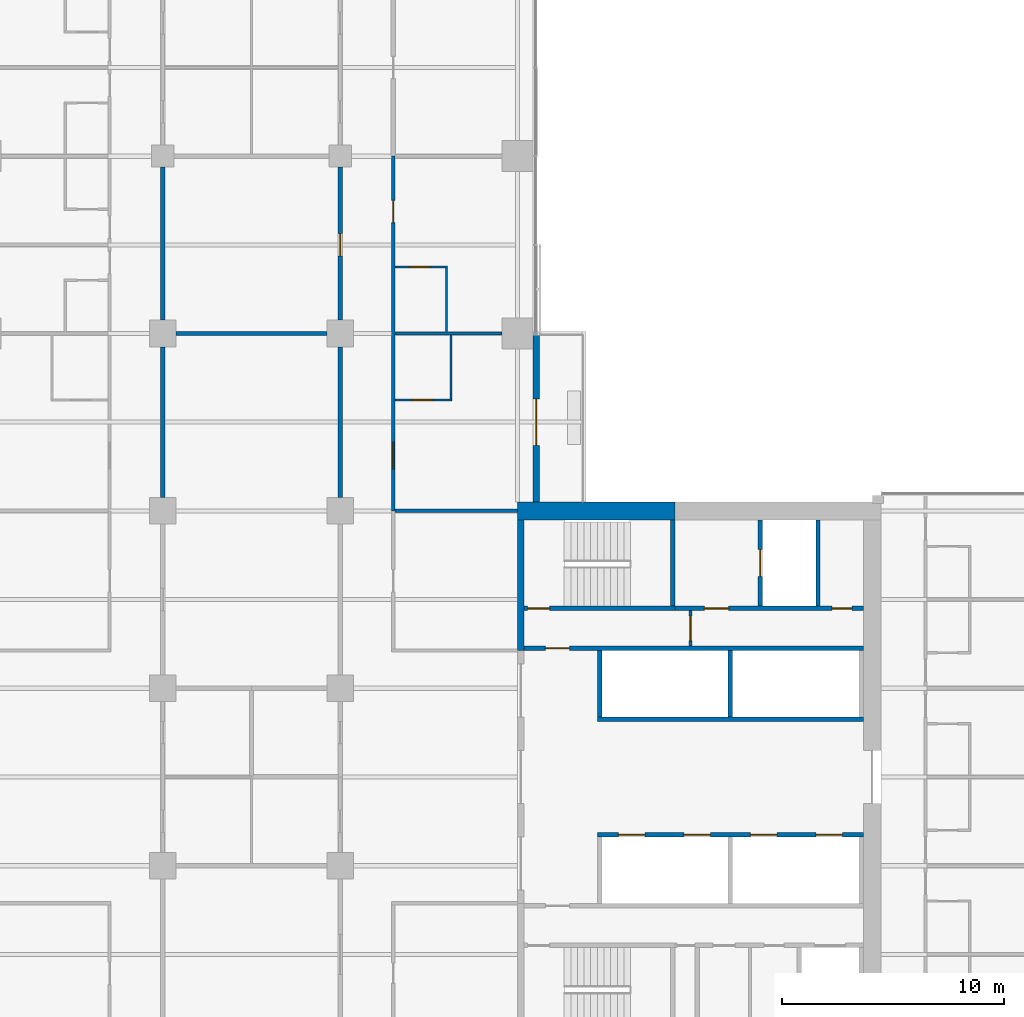
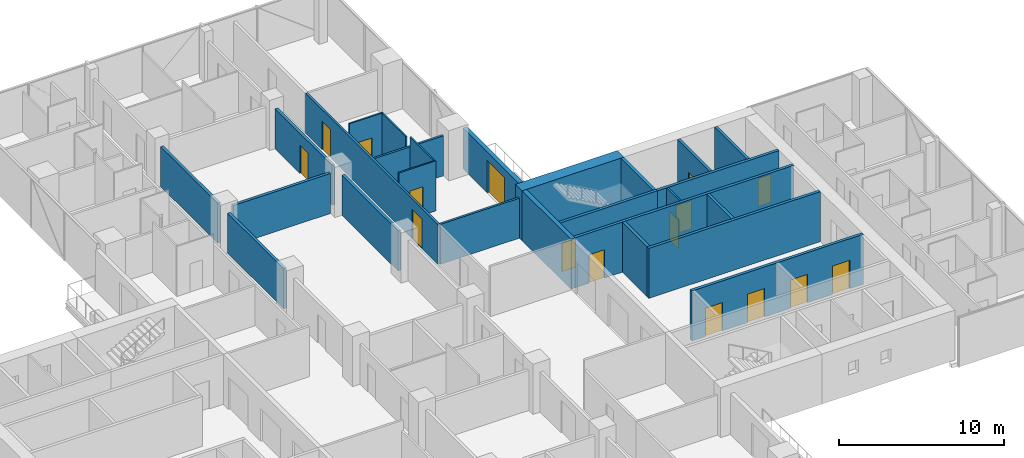
# One storey, part 20 of 27: 26 walls, 16 doors, 16 openings.
"""IFC4 building model written with IfcOpenShell, lengths in metres."""

from ifc_helpers import new_model, si_unit, direction, frame, frame_2d, origin, place, context, subcontext, project, spatial, rectangle, extrude, material, layer, layer_set, constituent, constituent_set, type_object, element, fill, save


model = new_model("IFC4")

# Units and contexts
model_context = context("Model", 3, precision=1e-05, world=origin(), true_north=direction((0.0, 1.0)))
body_context = subcontext(model_context, "Body", "Model", "MODEL_VIEW")
ifc_project = project(units=[si_unit("LENGTHUNIT", "METRE"), si_unit("AREAUNIT", "SQUARE_METRE"), si_unit("VOLUMEUNIT", "CUBIC_METRE"), si_unit("PLANEANGLEUNIT", "RADIAN"), si_unit("MASSUNIT", "GRAM", prefix="KILO")], contexts=[model_context])

# Site, building, storey
site_placement = place(None, origin())
site = spatial("IfcSite", under=ifc_project, at=site_placement, CompositionType="ELEMENT")
building_placement = place(site_placement, origin())
building = spatial("IfcBuilding", under=site, at=building_placement, Name="Crosswind Convention Tower", CompositionType="ELEMENT")
storey_placement = place(building_placement, frame((0.0, 0.0, 86.800048828125)))
storey = spatial("IfcBuildingStorey", under=building, at=storey_placement, Name="L16", CompositionType="ELEMENT", Elevation=86.800048828125)

# Walls
ifc_material_1 = material(Name="Concrete C50/60", Category="concrete")
ifc_layer_1 = layer(ifc_material_1, 0.300048828125)
ifc_layer_set_1 = layer_set([ifc_layer_1], Name="Concrete C50/60")
wall_type_1 = type_object("IfcWallType", Name="Concrete inner core wall 300", PredefinedType="SHEAR", material=ifc_layer_set_1)
wall_1_placement = place(storey_placement, frame((137.14990234375, 105.699951171875, 0.0), z_axis=(0.0, 0.0, 1.0), x_axis=(0.0, 1.0, 0.0)))
element("IfcWall", 1, at=wall_1_placement, inside=storey, type_object=wall_type_1, Name="Wall EP E L16", PredefinedType="SHEAR", context=body_context, shape_type="SweptSolid", body=[
    extrude(rectangle(XDim=5.900146484375, YDim=0.300048828125, at=frame_2d((2.9501953125, 0.0))), origin(), (0.0, 0.0, 1.0), 3.699951171875),
])
ifc_layer_2 = layer(ifc_material_1, 0.199951171875)
ifc_layer_set_2 = layer_set([ifc_layer_2], Name="Concrete C50/60")
wall_type_2 = type_object("IfcWallType", Name="Concrete shaft and stair wall 200", PredefinedType="SHEAR", material=ifc_layer_set_2)
for number, where, z_axis, x_axis, name in (
    (2, (140.699951171875, 102.699951171875, 0.0), (0.0, 0.0, 1.0), (0.0, 1.0, 0.0), "Wall RPEND E L16"),
    (3, (146.60009765625, 102.699951171875, 0.0), (0.0, 0.0, 1.0), (0.0, 1.0, 0.0), "Wall RPSEP E L16"),
):
    element("IfcWall", number, at=place(storey_placement, frame(where, z_axis=z_axis, x_axis=x_axis)), inside=storey, type_object=wall_type_2, Name=name, PredefinedType="SHEAR", context=body_context, shape_type="SweptSolid", body=[
        extrude(rectangle(XDim=3.0, YDim=0.199951171875, at=frame_2d((1.5, 0.0))), origin(), (0.0, 0.0, 1.0), 3.699951171875),
    ])
wall_2_placement = place(storey_placement, frame((140.60009765625, 102.60009765625, 0.0), z_axis=(0.0, 0.0, 1.0), x_axis=(1.0, 0.0, 0.0)))
element("IfcWall", 4, at=wall_2_placement, inside=storey, type_object=wall_type_2, Name="Wall RPFRONT E L16", PredefinedType="SHEAR", context=body_context, shape_type="SweptSolid", body=[
    extrude(rectangle(XDim=12.0, YDim=0.199951171875, at=frame_2d((6.0, 0.0))), origin(), (0.0, 0.0, 1.0), 3.699951171875),
])

# Wall, openings, doors
wall_3_placement = place(storey_placement, frame((140.60009765625, 97.39990234375, 0.0), z_axis=(0.0, 0.0, 1.0), x_axis=(1.0, 0.0, 0.0)))
wall_3 = element("IfcWall", 5, at=wall_3_placement, inside=storey, type_object=wall_type_2, Name="Wall RMFRONT E L16", PredefinedType="SHEAR", context=body_context, shape_type="SweptSolid", body=[
    extrude(rectangle(XDim=12.0, YDim=0.199951171875, at=frame_2d((6.0, 0.0))), origin(), (0.0, 0.0, 1.0), 3.699951171875),
])
opening_1_placement = place(wall_3_placement, frame((0.949951171875, 0.0, 0.0)))
opening_1 = element("IfcOpeningElement", 6, at=opening_1_placement, cuts=wall_3, Name="Opening LD1", PredefinedType="OPENING", context=body_context, shape_type="SweptSolid", body=[
    extrude(rectangle(XDim=1.199951171875, YDim=2.10009765625, at=frame_2d((0.60009765625, 1.050048828125))), frame((0.0, 0.10986328125, 0.0), z_axis=(0.0, -1.0, 0.0), x_axis=(1.0, 0.0, 0.0)), (0.0, 0.0, 1.0), 0.219970703125),
])
opening_2_placement = place(wall_3_placement, frame((3.89990234375, 0.0, 0.0)))
opening_2 = element("IfcOpeningElement", 7, at=opening_2_placement, cuts=wall_3, Name="Opening LD1", PredefinedType="OPENING", context=body_context, shape_type="SweptSolid", body=[
    extrude(rectangle(XDim=1.199951171875, YDim=2.10009765625, at=frame_2d((0.60009765625, 1.050048828125))), frame((0.0, 0.10986328125, 0.0), z_axis=(0.0, -1.0, 0.0), x_axis=(1.0, 0.0, 0.0)), (0.0, 0.0, 1.0), 0.219970703125),
])
opening_3_placement = place(wall_3_placement, frame((6.89990234375, 0.0, 0.0)))
opening_3 = element("IfcOpeningElement", 8, at=opening_3_placement, cuts=wall_3, Name="Opening LD1", PredefinedType="OPENING", context=body_context, shape_type="SweptSolid", body=[
    extrude(rectangle(XDim=1.199951171875, YDim=2.10009765625, at=frame_2d((0.60009765625, 1.050048828125))), frame((0.0, 0.10986328125, 0.0), z_axis=(0.0, -1.0, 0.0), x_axis=(1.0, 0.0, 0.0)), (0.0, 0.0, 1.0), 0.219970703125),
])
opening_4_placement = place(wall_3_placement, frame((9.85009765625, 0.0, 0.0)))
opening_4 = element("IfcOpeningElement", 9, at=opening_4_placement, cuts=wall_3, Name="Opening LD1", PredefinedType="OPENING", context=body_context, shape_type="SweptSolid", body=[
    extrude(rectangle(XDim=1.199951171875, YDim=2.10009765625, at=frame_2d((0.60009765625, 1.050048828125))), frame((0.0, 0.10986328125, 0.0), z_axis=(0.0, -1.0, 0.0), x_axis=(1.0, 0.0, 0.0)), (0.0, 0.0, 1.0), 0.219970703125),
])
ifc_material_2 = material(Name="Stainless steel", Category="steel")
door_type_1 = type_object("IfcDoorType", Name="Lift landing door 1200x2100", OperationType="DOUBLE_DOOR_SLIDING", PredefinedType="DOOR", material=ifc_material_2)
door_1_placement = place(opening_1_placement, origin())
door_1 = element("IfcDoor", 10, at=door_1_placement, inside=storey, type_object=door_type_1, Name="Landing door H1 L16", ObjectType="LD1", OperationType="DOUBLE_DOOR_SLIDING", OverallHeight=2.10009765625, OverallWidth=1.199951171875, PredefinedType="DOOR", context=body_context, shape_type="SweptSolid", body=[
    extrude(rectangle(XDim=1.199951171875, YDim=2.10009765625, at=frame_2d((0.60009765625, 1.050048828125))), frame((0.0, 0.02490234375, 0.0), z_axis=(0.0, -1.0, 0.0), x_axis=(1.0, 0.0, 0.0)), (0.0, 0.0, 1.0), 0.050048828125),
])
fill(opening_1, door_1)
door_2_placement = place(opening_2_placement, origin())
door_2 = element("IfcDoor", 11, at=door_2_placement, inside=storey, type_object=door_type_1, Name="Landing door H2 L16", ObjectType="LD1", OperationType="DOUBLE_DOOR_SLIDING", OverallHeight=2.10009765625, OverallWidth=1.199951171875, PredefinedType="DOOR", context=body_context, shape_type="SweptSolid", body=[
    extrude(rectangle(XDim=1.199951171875, YDim=2.10009765625, at=frame_2d((0.60009765625, 1.050048828125))), frame((0.0, 0.02490234375, 0.0), z_axis=(0.0, -1.0, 0.0), x_axis=(1.0, 0.0, 0.0)), (0.0, 0.0, 1.0), 0.050048828125),
])
fill(opening_2, door_2)
door_3_placement = place(opening_3_placement, origin())
door_3 = element("IfcDoor", 12, at=door_3_placement, inside=storey, type_object=door_type_1, Name="Landing door H3 L16", ObjectType="LD1", OperationType="DOUBLE_DOOR_SLIDING", OverallHeight=2.10009765625, OverallWidth=1.199951171875, PredefinedType="DOOR", context=body_context, shape_type="SweptSolid", body=[
    extrude(rectangle(XDim=1.199951171875, YDim=2.10009765625, at=frame_2d((0.60009765625, 1.050048828125))), frame((0.0, 0.02490234375, 0.0), z_axis=(0.0, -1.0, 0.0), x_axis=(1.0, 0.0, 0.0)), (0.0, 0.0, 1.0), 0.050048828125),
])
fill(opening_3, door_3)
door_4_placement = place(opening_4_placement, origin())
door_4 = element("IfcDoor", 13, at=door_4_placement, inside=storey, type_object=door_type_1, Name="Landing door H4 L16", ObjectType="LD1", OperationType="DOUBLE_DOOR_SLIDING", OverallHeight=2.10009765625, OverallWidth=1.199951171875, PredefinedType="DOOR", context=body_context, shape_type="SweptSolid", body=[
    extrude(rectangle(XDim=1.199951171875, YDim=2.10009765625, at=frame_2d((0.60009765625, 1.050048828125))), frame((0.0, 0.02490234375, 0.0), z_axis=(0.0, -1.0, 0.0), x_axis=(1.0, 0.0, 0.0)), (0.0, 0.0, 1.0), 0.050048828125),
])
fill(opening_4, door_4)

# Wall, opening, door
wall_4_placement = place(storey_placement, frame((137.300048828125, 105.800048828125, 0.0), z_axis=(0.0, 0.0, 1.0), x_axis=(1.0, 0.0, 0.0)))
wall_4 = element("IfcWall", 14, at=wall_4_placement, inside=storey, type_object=wall_type_2, Name="Wall HP E L16", PredefinedType="SHEAR", context=body_context, shape_type="SweptSolid", body=[
    extrude(rectangle(XDim=15.300048828125, YDim=0.199951171875, at=frame_2d((7.64990234375, 0.0))), origin(), (0.0, 0.0, 1.0), 3.699951171875),
])
opening_5_placement = place(wall_4_placement, frame((0.949951171875, 0.0, 0.0)))
opening_5 = element("IfcOpeningElement", 15, at=opening_5_placement, cuts=wall_4, Name="Opening D104", PredefinedType="OPENING", context=body_context, shape_type="SweptSolid", body=[
    extrude(rectangle(XDim=1.10009765625, YDim=2.10009765625, at=frame_2d((0.550048828125, 1.050048828125))), frame((0.0, 0.10986328125, 0.0), z_axis=(0.0, -1.0, 0.0), x_axis=(1.0, 0.0, 0.0)), (0.0, 0.0, 1.0), 0.219970703125),
])
ifc_material_3 = material(Name="Steel fire door", Category="steel")
door_type_2 = type_object("IfcDoorType", Name="Fire-rated single door 1100x2100", OperationType="NOTDEFINED", PredefinedType="DOOR", material=ifc_material_3)
door_5_placement = place(opening_5_placement, origin())
door_5 = element("IfcDoor", 16, at=door_5_placement, inside=storey, type_object=door_type_2, Name="Corridor door L16", ObjectType="D104", OperationType="SINGLE_SWING_LEFT", OverallHeight=2.10009765625, OverallWidth=1.10009765625, PredefinedType="DOOR", context=body_context, shape_type="SweptSolid", body=[
    extrude(rectangle(XDim=1.10009765625, YDim=2.10009765625, at=frame_2d((0.550048828125, 1.050048828125))), frame((0.0, 0.02490234375, 0.0), z_axis=(0.0, -1.0, 0.0), x_axis=(1.0, 0.0, 0.0)), (0.0, 0.0, 1.0), 0.050048828125),
])
fill(opening_5, door_5)

# Wall
wall_5_placement = place(storey_placement, frame((144.0, 107.699951171875, 0.0), z_axis=(0.0, 0.0, 1.0), x_axis=(0.0, 1.0, 0.0)))
element("IfcWall", 17, at=wall_5_placement, inside=storey, type_object=wall_type_2, Name="Wall PSE E L16", PredefinedType="SHEAR", context=body_context, shape_type="SweptSolid", body=[
    extrude(rectangle(XDim=3.900146484375, YDim=0.199951171875, at=frame_2d((1.9501953125, 0.0))), origin(), (0.0, 0.0, 1.0), 3.699951171875),
])

# Wall, opening, door
wall_6_placement = place(storey_placement, frame((147.949951171875, 107.699951171875, 0.0), z_axis=(0.0, 0.0, 1.0), x_axis=(0.0, 1.0, 0.0)))
wall_6 = element("IfcWall", 18, at=wall_6_placement, inside=storey, type_object=wall_type_2, Name="Wall PFLW E L16", PredefinedType="SHEAR", context=body_context, shape_type="SweptSolid", body=[
    extrude(rectangle(XDim=3.900146484375, YDim=0.199951171875, at=frame_2d((1.9501953125, 0.0))), origin(), (0.0, 0.0, 1.0), 3.699951171875),
])
opening_6_placement = place(wall_6_placement, frame((1.35009765625, 0.0, 0.0)))
opening_6 = element("IfcOpeningElement", 19, at=opening_6_placement, cuts=wall_6, Name="Opening LD1", PredefinedType="OPENING", context=body_context, shape_type="SweptSolid", body=[
    extrude(rectangle(XDim=1.199951171875, YDim=2.10009765625, at=frame_2d((0.60009765625, 1.050048828125))), frame((0.0, 0.10986328125, 0.0), z_axis=(0.0, -1.0, 0.0), x_axis=(1.0, 0.0, 0.0)), (0.0, 0.0, 1.0), 0.219970703125),
])
door_6_placement = place(opening_6_placement, origin())
door_6 = element("IfcDoor", 20, at=door_6_placement, inside=storey, type_object=door_type_1, Name="Landing door FF1 L16", ObjectType="LD1", OperationType="DOUBLE_DOOR_SLIDING", OverallHeight=2.10009765625, OverallWidth=1.199951171875, PredefinedType="DOOR", context=body_context, shape_type="SweptSolid", body=[
    extrude(rectangle(XDim=1.199951171875, YDim=2.10009765625, at=frame_2d((0.60009765625, 1.050048828125))), frame((0.0, 0.02490234375, 0.0), z_axis=(0.0, -1.0, 0.0), x_axis=(1.0, 0.0, 0.0)), (0.0, 0.0, 1.0), 0.050048828125),
])
fill(opening_6, door_6)

# Wall
wall_7_placement = place(storey_placement, frame((150.550048828125, 107.699951171875, 0.0), z_axis=(0.0, 0.0, 1.0), x_axis=(0.0, 1.0, 0.0)))
element("IfcWall", 21, at=wall_7_placement, inside=storey, type_object=wall_type_2, Name="Wall PFSE E L16", PredefinedType="SHEAR", context=body_context, shape_type="SweptSolid", body=[
    extrude(rectangle(XDim=3.900146484375, YDim=0.199951171875, at=frame_2d((1.9501953125, 0.0))), origin(), (0.0, 0.0, 1.0), 3.699951171875),
])

# Wall, opening, door
wall_8_placement = place(storey_placement, frame((137.300048828125, 107.60009765625, 0.0), z_axis=(0.0, 0.0, 1.0), x_axis=(1.0, 0.0, 0.0)))
wall_8 = element("IfcWall", 22, at=wall_8_placement, inside=storey, type_object=wall_type_2, Name="Wall PCW E L16", PredefinedType="SHEAR", context=body_context, shape_type="SweptSolid", body=[
    extrude(rectangle(XDim=6.800048828125, YDim=0.199951171875, at=frame_2d((3.39990234375, 0.0))), origin(), (0.0, 0.0, 1.0), 3.699951171875),
])
opening_7_placement = place(wall_8_placement, frame((0.14990234375, 0.0, 0.0)))
opening_7 = element("IfcOpeningElement", 23, at=opening_7_placement, cuts=wall_8, Name="Opening D103", PredefinedType="OPENING", context=body_context, shape_type="SweptSolid", body=[
    extrude(rectangle(XDim=1.0, YDim=2.10009765625, at=frame_2d((0.5, 1.050048828125))), frame((0.0, 0.10986328125, 0.0), z_axis=(0.0, -1.0, 0.0), x_axis=(1.0, 0.0, 0.0)), (0.0, 0.0, 1.0), 0.219970703125),
])
door_type_3 = type_object("IfcDoorType", Name="Fire-rated single door 1000x2100", OperationType="NOTDEFINED", PredefinedType="DOOR", material=ifc_material_3)
door_7_placement = place(opening_7_placement, origin())
door_7 = element("IfcDoor", 24, at=door_7_placement, inside=storey, type_object=door_type_3, Name="Stair ST1 door L16", ObjectType="D103", OperationType="SINGLE_SWING_LEFT", OverallHeight=2.10009765625, OverallWidth=1.0, PredefinedType="DOOR", context=body_context, shape_type="SweptSolid", body=[
    extrude(rectangle(XDim=1.0, YDim=2.10009765625, at=frame_2d((0.5, 1.050048828125))), frame((0.0, 0.02490234375, 0.0), z_axis=(0.0, -1.0, 0.0), x_axis=(1.0, 0.0, 0.0)), (0.0, 0.0, 1.0), 0.050048828125),
])
fill(opening_7, door_7)

# Wall, openings, doors
wall_9_placement = place(storey_placement, frame((144.10009765625, 107.60009765625, 0.0), z_axis=(0.0, 0.0, 1.0), x_axis=(1.0, 0.0, 0.0)))
wall_9 = element("IfcWall", 25, at=wall_9_placement, inside=storey, type_object=wall_type_2, Name="Wall PCX E L16", PredefinedType="SHEAR", context=body_context, shape_type="SweptSolid", body=[
    extrude(rectangle(XDim=8.5, YDim=0.199951171875, at=frame_2d((4.25, 0.0))), origin(), (0.0, 0.0, 1.0), 3.699951171875),
])
opening_8_placement = place(wall_9_placement, frame((1.324951171875, 0.0, 0.0)))
opening_8 = element("IfcOpeningElement", 26, at=opening_8_placement, cuts=wall_9, Name="Opening D104", PredefinedType="OPENING", context=body_context, shape_type="SweptSolid", body=[
    extrude(rectangle(XDim=1.10009765625, YDim=2.10009765625, at=frame_2d((0.550048828125, 1.050048828125))), frame((0.0, 0.10986328125, 0.0), z_axis=(0.0, -1.0, 0.0), x_axis=(1.0, 0.0, 0.0)), (0.0, 0.0, 1.0), 0.219970703125),
])
opening_9_placement = place(wall_9_placement, frame((7.074951171875, 0.0, 0.0)))
opening_9 = element("IfcOpeningElement", 27, at=opening_9_placement, cuts=wall_9, Name="Opening D106", PredefinedType="OPENING", context=body_context, shape_type="SweptSolid", body=[
    extrude(rectangle(XDim=0.89990234375, YDim=2.10009765625, at=frame_2d((0.449951171875, 1.050048828125))), frame((0.0, 0.10986328125, 0.0), z_axis=(0.0, -1.0, 0.0), x_axis=(1.0, 0.0, 0.0)), (0.0, 0.0, 1.0), 0.219970703125),
])
door_8_placement = place(opening_8_placement, origin())
door_8 = element("IfcDoor", 28, at=door_8_placement, inside=storey, type_object=door_type_2, Name="Fire-fighting lobby FF1 door L16", ObjectType="D104", OperationType="SINGLE_SWING_RIGHT", OverallHeight=2.10009765625, OverallWidth=1.10009765625, PredefinedType="DOOR", context=body_context, shape_type="SweptSolid", body=[
    extrude(rectangle(XDim=1.10009765625, YDim=2.10009765625, at=frame_2d((0.550048828125, 1.050048828125))), frame((0.0, 0.02490234375, 0.0), z_axis=(0.0, -1.0, 0.0), x_axis=(1.0, 0.0, 0.0)), (0.0, 0.0, 1.0), 0.050048828125),
])
fill(opening_8, door_8)
ifc_material_4 = material(Name="Timber door", Category="wood")
door_type_4 = type_object("IfcDoorType", Name="Single leaf door 900x2100", OperationType="NOTDEFINED", PredefinedType="DOOR", material=ifc_material_4)
door_9_placement = place(opening_9_placement, origin())
door_9 = element("IfcDoor", 29, at=door_9_placement, inside=storey, type_object=door_type_4, Name="Door to electrical room L16", ObjectType="D106", OperationType="SINGLE_SWING_RIGHT", OverallHeight=2.10009765625, OverallWidth=0.89990234375, PredefinedType="DOOR", context=body_context, shape_type="SweptSolid", body=[
    extrude(rectangle(XDim=0.89990234375, YDim=2.10009765625, at=frame_2d((0.449951171875, 1.050048828125))), frame((0.0, 0.02490234375, 0.0), z_axis=(0.0, -1.0, 0.0), x_axis=(1.0, 0.0, 0.0)), (0.0, 0.0, 1.0), 0.050048828125),
])
fill(opening_9, door_9)

# Wall, opening, door
ifc_material_5 = material(Name="Gypsum plasterboard partition", Category="gypsum")
ifc_layer_3 = layer(ifc_material_5, 0.125)
ifc_layer_set_3 = layer_set([ifc_layer_3], Name="Drywall partition wall 125")
wall_type_3 = type_object("IfcWallType", Name="Drywall partition wall 125", PredefinedType="PARTITIONING", material=ifc_layer_set_3)
wall_10_placement = place(storey_placement, frame((144.800048828125, 105.89990234375, 0.0), z_axis=(0.0, 0.0, 1.0), x_axis=(0.0, 1.0, 0.0)))
wall_10 = element("IfcWall", 30, at=wall_10_placement, inside=storey, type_object=wall_type_3, Name="Wall PXC1 E L16", PredefinedType="PARTITIONING", context=body_context, shape_type="SweptSolid", body=[
    extrude(rectangle(XDim=1.60009765625, YDim=0.125, at=frame_2d((0.800048828125, 0.0))), origin(), (0.0, 0.0, 1.0), 3.699951171875),
])
opening_10_placement = place(wall_10_placement, frame((0.25, 0.0, 0.0)))
opening_10 = element("IfcOpeningElement", 31, at=opening_10_placement, cuts=wall_10, Name="Opening D104", PredefinedType="OPENING", context=body_context, shape_type="SweptSolid", body=[
    extrude(rectangle(XDim=1.10009765625, YDim=2.10009765625, at=frame_2d((0.550048828125, 1.050048828125))), frame((0.0, 0.072509765625, 0.0), z_axis=(0.0, -1.0, 0.0), x_axis=(1.0, 0.0, 0.0)), (0.0, 0.0, 1.0), 0.14501953125),
])
door_10_placement = place(opening_10_placement, origin())
door_10 = element("IfcDoor", 32, at=door_10_placement, inside=storey, type_object=door_type_2, Name="Corridor smoke door L16", ObjectType="D104", OperationType="SINGLE_SWING_RIGHT", OverallHeight=2.10009765625, OverallWidth=1.10009765625, PredefinedType="DOOR", context=body_context, shape_type="SweptSolid", body=[
    extrude(rectangle(XDim=1.10009765625, YDim=2.10009765625, at=frame_2d((0.550048828125, 1.050048828125))), frame((0.0, 0.02490234375, 0.0), z_axis=(0.0, -1.0, 0.0), x_axis=(1.0, 0.0, 0.0)), (0.0, 0.0, 1.0), 0.050048828125),
])
fill(opening_10, door_10)

# Walls
ifc_material_6 = material(Name="Acoustic plasterboard partition", Category="gypsum")
ifc_layer_4 = layer(ifc_material_6, 0.14990234375)
ifc_layer_set_4 = layer_set([ifc_layer_4], Name="GUEST ROOM WALL 150")
wall_type_4 = type_object("IfcWallType", Name="GUEST ROOM WALL 150", PredefinedType="PARTITIONING", material=ifc_layer_set_4)
wall_11_placement = place(storey_placement, frame((131.47509765625, 112.0, 0.0), z_axis=(0.0, 0.0, 1.0), x_axis=(1.0, 0.0, 0.0)))
element("IfcWall", 33, at=wall_11_placement, inside=storey, type_object=wall_type_4, Name="Guest Room Wall 49", PredefinedType="PARTITIONING", context=body_context, shape_type="SweptSolid", body=[
    extrude(rectangle(XDim=5.52490234375, YDim=0.14990234375, at=frame_2d((2.762451171875, 0.0))), origin(), (0.0, 0.0, 1.0), 2.956298828125),
])
wall_12_placement = place(storey_placement, frame((131.47509765625, 120.0, 0.0), z_axis=(0.0, 0.0, 1.0), x_axis=(1.0, 0.0, 0.0)))
element("IfcWall", 34, at=wall_12_placement, inside=storey, type_object=wall_type_4, Name="Guest Room Wall 54", PredefinedType="PARTITIONING", context=body_context, shape_type="SweptSolid", body=[
    extrude(rectangle(XDim=4.824951171875, YDim=0.14990234375, at=frame_2d((2.41259765625, 0.0))), origin(), (0.0, 0.0, 1.0), 2.959716796875),
])

# Wall, openings, doors
wall_13_placement = place(storey_placement, frame((131.39990234375, 112.0, 0.0), z_axis=(0.0, 0.0, 1.0), x_axis=(0.0, 1.0, 0.0)))
wall_13 = element("IfcWall", 35, at=wall_13_placement, inside=storey, type_object=wall_type_4, Name="Guest Room Wall 117", PredefinedType="PARTITIONING", context=body_context, shape_type="SweptSolid", body=[
    extrude(rectangle(XDim=16.0, YDim=0.14990234375, at=frame_2d((8.0, 0.0))), origin(), (0.0, 0.0, 1.0), 2.956298828125),
])
opening_11_placement = place(wall_13_placement, frame((1.89990234375, 0.0, 0.0)))
opening_11 = element("IfcOpeningElement", 36, at=opening_11_placement, cuts=wall_13, Name="Opening 16.005", PredefinedType="OPENING", context=body_context, shape_type="SweptSolid", body=[
    extrude(rectangle(XDim=1.199951171875, YDim=2.199951171875, at=frame_2d((0.60009765625, 1.10009765625))), frame((0.0, 0.0849609375, 0.0), z_axis=(0.0, -1.0, 0.0), x_axis=(1.0, 0.0, 0.0)), (0.0, 0.0, 1.0), 0.169921875),
])
opening_12_placement = place(wall_13_placement, frame((13.0, 0.0, 0.0)))
opening_12 = element("IfcOpeningElement", 37, at=opening_12_placement, cuts=wall_13, Name="Opening 16.007", PredefinedType="OPENING", context=body_context, shape_type="SweptSolid", body=[
    extrude(rectangle(XDim=1.0, YDim=2.10009765625, at=frame_2d((0.5, 1.050048828125))), frame((0.0, 0.0849609375, 0.0), z_axis=(0.0, -1.0, 0.0), x_axis=(1.0, 0.0, 0.0)), (0.0, 0.0, 1.0), 0.169921875),
])
ifc_material_7 = material(Name="Timber fire door", Category="wood")
door_type_5 = type_object("IfcDoorType", Name="GUEST ROOM DOOR 1000X2100", OperationType="NOTDEFINED", PredefinedType="DOOR", material=ifc_material_7)
door_11_placement = place(opening_12_placement, frame((1.0, 0.0, 0.0), z_axis=(0.0, 0.0, 1.0), x_axis=(-1.0, 0.0, 0.0)))
door_11 = element("IfcDoor", 38, at=door_11_placement, inside=storey, type_object=door_type_5, Name="Door 16.007", ObjectType="D1", OperationType="SINGLE_SWING_LEFT", OverallHeight=2.10009765625, OverallWidth=1.0, PredefinedType="DOOR", context=body_context, shape_type="SweptSolid", body=[
    extrude(rectangle(XDim=1.0, YDim=2.10009765625, at=frame_2d((0.5, 1.050048828125))), frame((0.0, 0.02490234375, 0.0), z_axis=(0.0, -1.0, 0.0), x_axis=(1.0, 0.0, 0.0)), (0.0, 0.0, 1.0), 0.050048828125),
])
fill(opening_12, door_11)
door_type_6 = type_object("IfcDoorType", Name="SUITE DOOR 1200X2200", OperationType="DOUBLE_DOOR_SINGLE_SWING", PredefinedType="DOOR", material=ifc_material_7)
door_12_placement = place(opening_11_placement, frame((1.199951171875, 0.0, 0.0), z_axis=(0.0, 0.0, 1.0), x_axis=(-1.0, 0.0, 0.0)))
door_12 = element("IfcDoor", 39, at=door_12_placement, inside=storey, type_object=door_type_6, Name="Door 16.005", ObjectType="D14", OperationType="DOUBLE_DOOR_SINGLE_SWING", OverallHeight=2.199951171875, OverallWidth=1.199951171875, PredefinedType="DOOR", context=body_context, shape_type="SweptSolid", body=[
    extrude(rectangle(XDim=1.199951171875, YDim=2.199951171875, at=frame_2d((0.60009765625, 1.10009765625))), frame((0.0, 0.02490234375, 0.0), z_axis=(0.0, -1.0, 0.0), x_axis=(1.0, 0.0, 0.0)), (0.0, 0.0, 1.0), 0.050048828125),
])
fill(opening_11, door_12)

# Walls
ifc_material_8 = material(Name="Double plasterboard partition", Category="gypsum")
ifc_layer_5 = layer(ifc_material_8, 0.199951171875)
ifc_layer_set_5 = layer_set([ifc_layer_5], Name="HALL WALL 200")
wall_type_5 = type_object("IfcWallType", Name="HALL WALL 200", PredefinedType="PARTITIONING", material=ifc_layer_set_5)
for number, where, z_axis, x_axis, name in (
    (40, (121.60009765625, 120.0, 0.0), (0.0, 0.0, 1.0), (1.0, 0.0, 0.0), "Hall Wall 53"),
    (41, (121.0, 112.60009765625, 0.0), (0.0, 0.0, 1.0), (0.0, 1.0, 0.0), "Hall Wall 90"),
):
    element("IfcWall", number, at=place(storey_placement, frame(where, z_axis=z_axis, x_axis=x_axis)), inside=storey, type_object=wall_type_5, Name=name, PredefinedType="PARTITIONING", context=body_context, shape_type="SweptSolid", body=[
        extrude(rectangle(XDim=6.7998046875, YDim=0.199951171875, at=frame_2d((3.39990234375, 0.0))), origin(), (0.0, 0.0, 1.0), 2.959716796875),
    ])
wall_14_placement = place(storey_placement, frame((121.0, 120.60009765625, 0.0), z_axis=(0.0, 0.0, 1.0), x_axis=(0.0, 1.0, 0.0)))
element("IfcWall", 42, at=wall_14_placement, inside=storey, type_object=wall_type_5, Name="Hall Wall 91", PredefinedType="PARTITIONING", context=body_context, shape_type="SweptSolid", body=[
    extrude(rectangle(XDim=6.89990234375, YDim=0.199951171875, at=frame_2d((3.449951171875, 0.0))), origin(), (0.0, 0.0, 1.0), 2.959716796875),
])
wall_15_placement = place(storey_placement, frame((129.0, 112.60009765625, 0.0), z_axis=(0.0, 0.0, 1.0), x_axis=(0.0, 1.0, 0.0)))
element("IfcWall", 43, at=wall_15_placement, inside=storey, type_object=wall_type_5, Name="Hall Wall 110", PredefinedType="PARTITIONING", context=body_context, shape_type="SweptSolid", body=[
    extrude(rectangle(XDim=6.7998046875, YDim=0.199951171875, at=frame_2d((3.39990234375, 0.0))), origin(), (0.0, 0.0, 1.0), 2.959716796875),
])

# Wall, opening, door
wall_16_placement = place(storey_placement, frame((129.0, 120.60009765625, 0.0), z_axis=(0.0, 0.0, 1.0), x_axis=(0.0, 1.0, 0.0)))
wall_16 = element("IfcWall", 44, at=wall_16_placement, inside=storey, type_object=wall_type_5, Name="Hall Wall 111", PredefinedType="PARTITIONING", context=body_context, shape_type="SweptSolid", body=[
    extrude(rectangle(XDim=6.89990234375, YDim=0.199951171875, at=frame_2d((3.449951171875, 0.0))), origin(), (0.0, 0.0, 1.0), 2.959716796875),
])
opening_13_placement = place(wall_16_placement, frame((2.89990234375, 0.0, 0.0)))
opening_13 = element("IfcOpeningElement", 45, at=opening_13_placement, cuts=wall_16, Name="Opening 16.063", PredefinedType="OPENING", context=body_context, shape_type="SweptSolid", body=[
    extrude(rectangle(XDim=1.0, YDim=2.10009765625, at=frame_2d((0.5, 1.050048828125))), frame((0.0, 0.10986328125, 0.0), z_axis=(0.0, -1.0, 0.0), x_axis=(1.0, 0.0, 0.0)), (0.0, 0.0, 1.0), 0.219970703125),
])
door_type_7 = type_object("IfcDoorType", Name="MEETING ROOM DOOR 1000X2100", OperationType="NOTDEFINED", PredefinedType="DOOR", material=ifc_material_7)
door_13_placement = place(opening_13_placement, frame((1.0, 0.0, 0.0), z_axis=(0.0, 0.0, 1.0), x_axis=(-1.0, 0.0, 0.0)))
door_13 = element("IfcDoor", 46, at=door_13_placement, inside=storey, type_object=door_type_7, Name="Door 16.063", ObjectType="D13", OperationType="SINGLE_SWING_RIGHT", OverallHeight=2.10009765625, OverallWidth=1.0, PredefinedType="DOOR", context=body_context, shape_type="SweptSolid", body=[
    extrude(rectangle(XDim=1.0, YDim=2.10009765625, at=frame_2d((0.5, 1.050048828125))), frame((0.0, 0.02490234375, 0.0), z_axis=(0.0, -1.0, 0.0), x_axis=(1.0, 0.0, 0.0)), (0.0, 0.0, 1.0), 0.050048828125),
])
fill(opening_13, door_13)

ifc_material_9 = material(Name="Terracotta rainscreen", Category="ceramic")
ifc_layer_6 = layer(ifc_material_9, 0.02001953125)
ifc_material_10 = material(Name="Mineral wool insulation", Category="insulation")
ifc_layer_7 = layer(ifc_material_10, 0.10009765625)
ifc_material_11 = material(Name="Concrete blockwork", Category="masonry")
ifc_layer_8 = layer(ifc_material_11, 0.179931640625)
ifc_layer_set_6 = layer_set([ifc_layer_6, ifc_layer_7, ifc_layer_8], Name="TERRACOTTA INFILL WALL 300")
wall_type_6 = type_object("IfcWallType", Name="TERRACOTTA INFILL WALL 300", PredefinedType="SOLIDWALL", material=ifc_layer_set_6)
wall_17_placement = place(storey_placement, frame((137.85009765625, 112.39990234375, 0.0), z_axis=(0.0, 0.0, 1.0), x_axis=(0.0, 1.0, 0.0)))
wall_17 = element("IfcWall", 47, at=wall_17_placement, inside=storey, type_object=wall_type_6, Name="Notch front wall L16 N-E.1-1", PredefinedType="SOLIDWALL", context=body_context, shape_type="SweptSolid", body=[
    extrude(rectangle(XDim=7.567626953125, YDim=0.300048828125, at=frame_2d((3.78369140625, 0.0))), origin(), (0.0, 0.0, 1.0), 3.013671875),
])
opening_14_placement = place(wall_17_placement, frame((2.550048828125, 0.0, 0.0)))
opening_14 = element("IfcOpeningElement", 48, at=opening_14_placement, cuts=wall_17, Name="Opening D141", PredefinedType="OPENING", context=body_context, shape_type="SweptSolid", body=[
    extrude(rectangle(XDim=2.10009765625, YDim=2.39990234375, at=frame_2d((1.050048828125, 1.199951171875))), frame((0.0, 0.159912109375, 0.0), z_axis=(0.0, -1.0, 0.0), x_axis=(1.0, 0.0, 0.0)), (0.0, 0.0, 1.0), 0.320068359375),
])
ifc_material_12 = material(Name="Aluminium glazed door", Category="aluminium")
door_type_8 = type_object("IfcDoorType", Name="BALCONY SLIDING DOOR 2100X2400", OperationType="SLIDING_TO_LEFT", PredefinedType="DOOR", material=ifc_material_12)
door_14_placement = place(opening_14_placement, frame((2.10009765625, 0.0, 0.0), z_axis=(0.0, 0.0, 1.0), x_axis=(-1.0, 0.0, 0.0)))
door_14 = element("IfcDoor", 49, at=door_14_placement, inside=storey, type_object=door_type_8, Name="D141 balcony door L16 N-E.1-1", ObjectType="D141", OperationType="SLIDING_TO_LEFT", OverallHeight=2.39990234375, OverallWidth=2.10009765625, PredefinedType="DOOR", context=body_context, shape_type="SweptSolid", body=[
    extrude(rectangle(XDim=2.10009765625, YDim=2.39990234375, at=frame_2d((1.050048828125, 1.199951171875))), frame((0.0, 0.02490234375, 0.0), z_axis=(0.0, -1.0, 0.0), x_axis=(1.0, 0.0, 0.0)), (0.0, 0.0, 1.0), 0.050048828125),
])
fill(opening_14, door_14)

# Wall
ifc_material_13 = material(Name="Concrete C60/75", Category="concrete")
ifc_constituent_1 = constituent(ifc_material_13, Name="Structure")
ifc_constituent_2 = constituent(ifc_material_9, Name="Facing")
ifc_constituent_set = constituent_set(constituents=[ifc_constituent_1, ifc_constituent_2], Name="Concrete C60/75, Terracotta rainscreen")
wall_type_7 = type_object("IfcWallType", Name="Terracotta rainscreen on concrete core wall 800", PredefinedType="SHEAR", material=ifc_constituent_set)
wall_18_placement = place(storey_placement, frame((137.0, 112.0, 0.0), z_axis=(0.0, 0.0, 1.0), x_axis=(1.0, 0.0, 0.0)))
element("IfcWall", 50, at=wall_18_placement, inside=storey, type_object=wall_type_7, Name="Wall N1 E L16", PredefinedType="SHEAR", context=body_context, shape_type="SweptSolid", body=[
    extrude(rectangle(XDim=7.10009765625, YDim=0.800048828125, at=frame_2d((3.550048828125, 0.0))), origin(), (0.0, 0.0, 1.0), 3.699951171875),
])

# Wall, opening, door
ifc_material_14 = material(Name="Water-resistant plasterboard partition", Category="gypsum")
ifc_layer_9 = layer(ifc_material_14, 0.10009765625)
ifc_layer_set_7 = layer_set([ifc_layer_9], Name="WET ROOM PARTITION 100")
wall_type_8 = type_object("IfcWallType", Name="WET ROOM PARTITION 100", PredefinedType="PLUMBINGWALL", material=ifc_layer_set_7)
wall_19_placement = place(storey_placement, frame((131.47509765625, 117.0, 0.0), z_axis=(0.0, 0.0, 1.0), x_axis=(1.0, 0.0, 0.0)))
wall_19 = element("IfcWall", 51, at=wall_19_placement, inside=storey, type_object=wall_type_8, Name="Wet Room Partition 51", PredefinedType="PLUMBINGWALL", context=body_context, shape_type="SweptSolid", body=[
    extrude(rectangle(XDim=2.574951171875, YDim=0.10009765625, at=frame_2d((1.28759765625, 0.0))), origin(), (0.0, 0.0, 1.0), 3.699951171875),
])
opening_15_placement = place(wall_19_placement, frame((0.77490234375, 0.0, 0.0)))
opening_15 = element("IfcOpeningElement", 52, at=opening_15_placement, cuts=wall_19, Name="Opening 16.006", PredefinedType="OPENING", context=body_context, shape_type="SweptSolid", body=[
    extrude(rectangle(XDim=0.89990234375, YDim=2.10009765625, at=frame_2d((0.449951171875, 1.050048828125))), frame((0.0, 0.06005859375, 0.0), z_axis=(0.0, -1.0, 0.0), x_axis=(1.0, 0.0, 0.0)), (0.0, 0.0, 1.0), 0.1201171875),
])
door_type_9 = type_object("IfcDoorType", Name="EN-SUITE DOOR 900X2100", OperationType="NOTDEFINED", PredefinedType="DOOR", material=ifc_material_4)
door_15_placement = place(opening_15_placement, origin())
door_15 = element("IfcDoor", 53, at=door_15_placement, inside=storey, type_object=door_type_9, Name="Door 16.006", ObjectType="D2", OperationType="SINGLE_SWING_RIGHT", OverallHeight=2.10009765625, OverallWidth=0.89990234375, PredefinedType="DOOR", context=body_context, shape_type="SweptSolid", body=[
    extrude(rectangle(XDim=0.89990234375, YDim=2.10009765625, at=frame_2d((0.449951171875, 1.050048828125))), frame((0.0, 0.02490234375, 0.0), z_axis=(0.0, -1.0, 0.0), x_axis=(1.0, 0.0, 0.0)), (0.0, 0.0, 1.0), 0.050048828125),
])
fill(opening_15, door_15)

wall_20_placement = place(storey_placement, frame((131.47509765625, 123.0, 0.0), z_axis=(0.0, 0.0, 1.0), x_axis=(1.0, 0.0, 0.0)))
wall_20 = element("IfcWall", 54, at=wall_20_placement, inside=storey, type_object=wall_type_8, Name="Wet Room Partition 56", PredefinedType="PLUMBINGWALL", context=body_context, shape_type="SweptSolid", body=[
    extrude(rectangle(XDim=2.375, YDim=0.10009765625, at=frame_2d((1.1875, 0.0))), origin(), (0.0, 0.0, 1.0), 3.699951171875),
])
opening_16_placement = place(wall_20_placement, frame((0.675048828125, 0.0, 0.0)))
opening_16 = element("IfcOpeningElement", 55, at=opening_16_placement, cuts=wall_20, Name="Opening 16.008", PredefinedType="OPENING", context=body_context, shape_type="SweptSolid", body=[
    extrude(rectangle(XDim=0.89990234375, YDim=2.10009765625, at=frame_2d((0.449951171875, 1.050048828125))), frame((0.0, 0.06005859375, 0.0), z_axis=(0.0, -1.0, 0.0), x_axis=(1.0, 0.0, 0.0)), (0.0, 0.0, 1.0), 0.1201171875),
])
door_16_placement = place(opening_16_placement, frame((0.89990234375, 0.0, 0.0), z_axis=(0.0, 0.0, 1.0), x_axis=(-1.0, 0.0, 0.0)))
door_16 = element("IfcDoor", 56, at=door_16_placement, inside=storey, type_object=door_type_9, Name="Door 16.008", ObjectType="D2", OperationType="SINGLE_SWING_LEFT", OverallHeight=2.10009765625, OverallWidth=0.89990234375, PredefinedType="DOOR", context=body_context, shape_type="SweptSolid", body=[
    extrude(rectangle(XDim=0.89990234375, YDim=2.10009765625, at=frame_2d((0.449951171875, 1.050048828125))), frame((0.0, 0.02490234375, 0.0), z_axis=(0.0, -1.0, 0.0), x_axis=(1.0, 0.0, 0.0)), (0.0, 0.0, 1.0), 0.050048828125),
])
fill(opening_16, door_16)

# Walls
for number, where, z_axis, x_axis, name in (
    (57, (133.800048828125, 120.074951171875, 0.0), (0.0, 0.0, 1.0), (0.0, 1.0, 0.0), "Wet Room Partition 120"),
    (58, (134.0, 117.050048828125, 0.0), (0.0, 0.0, 1.0), (0.0, 1.0, 0.0), "Wet Room Partition 122"),
):
    element("IfcWall", number, at=place(storey_placement, frame(where, z_axis=z_axis, x_axis=x_axis)), inside=storey, type_object=wall_type_8, Name=name, PredefinedType="PLUMBINGWALL", context=body_context, shape_type="SweptSolid", body=[
        extrude(rectangle(XDim=2.875, YDim=0.10009765625, at=frame_2d((1.4375, 0.0))), origin(), (0.0, 0.0, 1.0), 3.699951171875),
    ])

save(model, "model.ifc")
